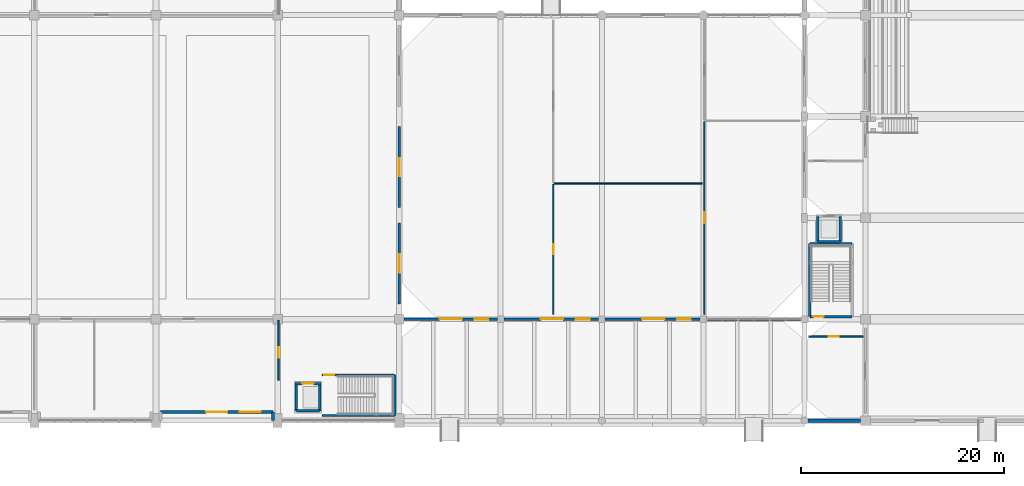
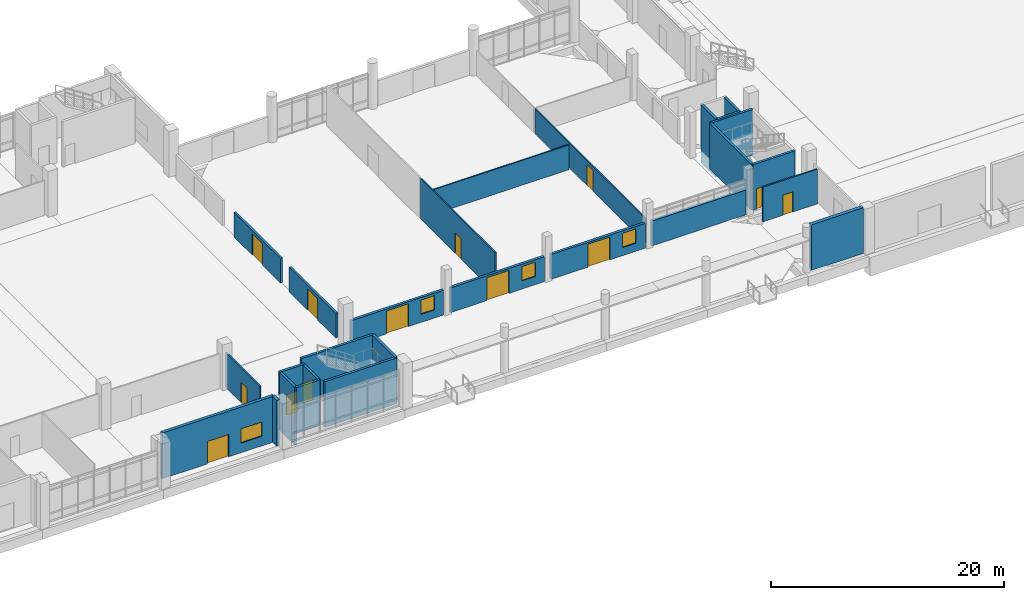
# One storey, part 71 of 87: 27 walls, 13 doors, 4 windows, 17 openings.
"""IFC4 building model written with IfcOpenShell, lengths in metres."""

from ifc_helpers import new_model, si_unit, direction, frame, frame_2d, origin, place, context, subcontext, project, spatial, rectangle, extrude, material, layer, layer_set, type_object, element, fill, save


model = new_model("IFC4")

# Units and contexts
model_context = context("Model", 3, precision=1e-05, world=origin(), true_north=direction((0.0, 1.0)))
body_context = subcontext(model_context, "Body", "Model", "MODEL_VIEW")
ifc_project = project(units=[si_unit("LENGTHUNIT", "METRE"), si_unit("AREAUNIT", "SQUARE_METRE"), si_unit("VOLUMEUNIT", "CUBIC_METRE"), si_unit("PLANEANGLEUNIT", "RADIAN"), si_unit("MASSUNIT", "GRAM", prefix="KILO")], contexts=[model_context])

# Site, building, storey
site_placement = place(None, origin())
site = spatial("IfcSite", under=ifc_project, at=site_placement, CompositionType="ELEMENT")
building_placement = place(site_placement, origin())
building = spatial("IfcBuilding", under=site, at=building_placement, Name="Mersad Railyard Sports Hall", CompositionType="ELEMENT")
storey_placement = place(building_placement, origin())
storey = spatial("IfcBuildingStorey", under=building, at=storey_placement, Name="L00", CompositionType="ELEMENT", Elevation=0.0)

# Wall
ifc_material_1 = material(Name="Architectural concrete C40/50", Category="concrete")
ifc_layer_1 = layer(ifc_material_1, 0.300048828125)
ifc_layer_set_1 = layer_set([ifc_layer_1], Name="Architectural concrete C40/50")
wall_type_1 = type_object("IfcWallType", Name="ARC-WL-EW01", PredefinedType="SOLIDWALL", material=ifc_layer_set_1)
wall_1_placement = place(storey_placement, frame((78.550048828125, 4.35009765625, 0.0), z_axis=(0.0, 0.0, 1.0), x_axis=(0.0, -1.0, 0.0)))
element("IfcWall", 1, at=wall_1_placement, inside=storey, type_object=wall_type_1, Name="External wall EW01-0044", PredefinedType="SOLIDWALL", context=body_context, shape_type="SweptSolid", body=[
    extrude(rectangle(XDim=0.85009765625, YDim=0.300048828125, at=frame_2d((0.425048828125, 0.0))), origin(), (0.0, 0.0, 1.0), 4.800048828125),
])

# Wall, openings, door, window
wall_2_placement = place(storey_placement, frame((78.550048828125, 4.35009765625, 0.0), z_axis=(0.0, 0.0, 1.0), x_axis=(-1.0, 0.0, 0.0)))
wall_2 = element("IfcWall", 2, at=wall_2_placement, inside=storey, type_object=wall_type_1, Name="External wall EW01-0051", PredefinedType="SOLIDWALL", context=body_context, shape_type="SweptSolid", body=[
    extrude(rectangle(XDim=11.10009765625, YDim=0.300048828125, at=frame_2d((5.550048828125, 0.0))), origin(), (0.0, 0.0, 1.0), 4.800048828125),
])
opening_1_placement = place(wall_2_placement, frame((4.5, 0.0, 0.0)))
opening_1 = element("IfcOpeningElement", 3, at=opening_1_placement, cuts=wall_2, Name="Opening ED02", PredefinedType="OPENING", context=body_context, shape_type="SweptSolid", body=[
    extrude(rectangle(XDim=2.10009765625, YDim=2.35009765625, at=frame_2d((1.050048828125, 1.175048828125))), frame((0.0, 0.159912109375, 0.0), z_axis=(0.0, -1.0, 0.0), x_axis=(1.0, 0.0, 0.0)), (0.0, 0.0, 1.0), 0.320068359375),
])
opening_2_placement = place(wall_2_placement, frame((1.199951171875, 0.0, 1.0)))
opening_2 = element("IfcOpeningElement", 4, at=opening_2_placement, cuts=wall_2, Name="Opening W06", PredefinedType="OPENING", context=body_context, shape_type="SweptSolid", body=[
    extrude(rectangle(XDim=2.10009765625, YDim=1.5, at=frame_2d((1.050048828125, 0.75))), frame((0.0, 0.159912109375, 0.0), z_axis=(0.0, -1.0, 0.0), x_axis=(1.0, 0.0, 0.0)), (0.0, 0.0, 1.0), 0.320068359375),
])
ifc_material_2 = material(Name="Aluminium 6063-T6", Category="aluminium")
door_type_1 = type_object("IfcDoorType", Name="ARC-DR-ED02", OperationType="NOTDEFINED", PredefinedType="DOOR", material=ifc_material_2)
door_1_placement = place(opening_1_placement, origin())
door_1 = element("IfcDoor", 5, at=door_1_placement, inside=storey, type_object=door_type_1, Name="Pedestrian exit door ED02-005", OperationType="DOUBLE_DOOR_SINGLE_SWING", OverallHeight=2.35009765625, OverallWidth=2.10009765625, PredefinedType="DOOR", context=body_context, shape_type="SweptSolid", body=[
    extrude(rectangle(XDim=2.10009765625, YDim=2.35009765625, at=frame_2d((1.050048828125, 1.175048828125))), frame((0.0, 0.02490234375, 0.0), z_axis=(0.0, -1.0, 0.0), x_axis=(1.0, 0.0, 0.0)), (0.0, 0.0, 1.0), 0.050048828125),
])
fill(opening_1, door_1)
ifc_material_3 = material(Name="Solar-control glass", Category="glass")
window_type_1 = type_object("IfcWindowType", Name="ARC-WN-W06", PartitioningType="DOUBLE_PANEL_VERTICAL", PredefinedType="WINDOW", material=ifc_material_3)
window_1_placement = place(opening_2_placement, origin())
window_1 = element("IfcWindow", 6, at=window_1_placement, inside=storey, type_object=window_type_1, Name="Window W06-0004", OverallHeight=1.5, OverallWidth=2.10009765625, PartitioningType="DOUBLE_PANEL_VERTICAL", PredefinedType="WINDOW", context=body_context, shape_type="SweptSolid", body=[
    extrude(rectangle(XDim=2.10009765625, YDim=1.5, at=frame_2d((1.050048828125, 0.75))), frame((0.0, 0.030029296875, 0.0), z_axis=(0.0, -1.0, 0.0), x_axis=(1.0, 0.0, 0.0)), (0.0, 0.0, 1.0), 0.06005859375),
])
fill(opening_2, window_1)

# Wall
ifc_material_4 = material(Name="Architectural concrete C50/60", Category="concrete")
ifc_layer_2 = layer(ifc_material_4, 0.35009765625)
ifc_layer_set_2 = layer_set([ifc_layer_2], Name="Architectural concrete C50/60")
wall_type_2 = type_object("IfcWallType", Name="ARC-WL-EW02", PredefinedType="SOLIDWALL", material=ifc_layer_set_2)
wall_3_placement = place(storey_placement, frame((136.52490234375, 3.5, 0.0), z_axis=(0.0, 0.0, 1.0), x_axis=(-1.0, 0.0, 0.0)))
element("IfcWall", 7, at=wall_3_placement, inside=storey, type_object=wall_type_2, Name="External wall EW02-0079", PredefinedType="SOLIDWALL", context=body_context, shape_type="SweptSolid", body=[
    extrude(rectangle(XDim=5.1748046875, YDim=0.35009765625, at=frame_2d((2.58740234375, 0.0))), origin(), (0.0, 0.0, 1.0), 4.800048828125),
])

# Wall, openings, door, window
ifc_material_5 = material(Name="Precast concrete C45/55", Category="concrete")
ifc_layer_3 = layer(ifc_material_5, 0.25)
ifc_layer_set_3 = layer_set([ifc_layer_3], Name="Precast concrete C45/55")
wall_type_3 = type_object("IfcWallType", Name="ARC-WL-EW04", PredefinedType="SOLIDWALL", material=ifc_layer_set_3)
wall_4_placement = place(storey_placement, frame((100.675048828125, 13.5, 0.0), z_axis=(0.0, 0.0, 1.0), x_axis=(-1.0, 0.0, 0.0)))
wall_4 = element("IfcWall", 8, at=wall_4_placement, inside=storey, type_object=wall_type_3, Name="External wall EW04-0073", PredefinedType="SOLIDWALL", context=body_context, shape_type="SweptSolid", body=[
    extrude(rectangle(XDim=9.199951171875, YDim=0.25, at=frame_2d((4.60009765625, 0.0))), origin(), (0.0, 0.0, 1.0), 2.60498046875),
])
opening_3_placement = place(wall_4_placement, frame((3.5, 0.0, 0.0)))
opening_3 = element("IfcOpeningElement", 9, at=opening_3_placement, cuts=wall_4, Name="Opening ED01", PredefinedType="OPENING", context=body_context, shape_type="SweptSolid", body=[
    extrude(rectangle(XDim=2.199951171875, YDim=2.39990234375, at=frame_2d((1.10009765625, 1.199951171875))), frame((0.0, 0.135009765625, 0.0), z_axis=(0.0, -1.0, 0.0), x_axis=(1.0, 0.0, 0.0)), (0.0, 0.0, 1.0), 0.27001953125),
])
opening_4_placement = place(wall_4_placement, frame((0.89990234375, 0.0, 0.85009765625)))
opening_4 = element("IfcOpeningElement", 10, at=opening_4_placement, cuts=wall_4, Name="Opening W02", PredefinedType="OPENING", context=body_context, shape_type="SweptSolid", body=[
    extrude(rectangle(XDim=1.35009765625, YDim=1.5, at=frame_2d((0.675048828125, 0.75))), frame((0.0, 0.135009765625, 0.0), z_axis=(0.0, -1.0, 0.0), x_axis=(1.0, 0.0, 0.0)), (0.0, 0.0, 1.0), 0.27001953125),
])
door_type_2 = type_object("IfcDoorType", Name="ARC-DR-ED01", OperationType="NOTDEFINED", PredefinedType="DOOR", material=ifc_material_2)
door_2_placement = place(opening_3_placement, origin())
door_2 = element("IfcDoor", 11, at=door_2_placement, inside=storey, type_object=door_type_2, Name="Main entrance door ED01-017", OperationType="DOUBLE_DOOR_SINGLE_SWING", OverallHeight=2.39990234375, OverallWidth=2.199951171875, PredefinedType="DOOR", context=body_context, shape_type="SweptSolid", body=[
    extrude(rectangle(XDim=2.199951171875, YDim=2.39990234375, at=frame_2d((1.10009765625, 1.199951171875))), frame((0.0, 0.02490234375, 0.0), z_axis=(0.0, -1.0, 0.0), x_axis=(1.0, 0.0, 0.0)), (0.0, 0.0, 1.0), 0.050048828125),
])
fill(opening_3, door_2)
window_type_2 = type_object("IfcWindowType", Name="ARC-WN-W02", PartitioningType="SINGLE_PANEL", PredefinedType="WINDOW", material=ifc_material_3)
window_2_placement = place(opening_4_placement, origin())
window_2 = element("IfcWindow", 12, at=window_2_placement, inside=storey, type_object=window_type_2, Name="Window W02-0013", OverallHeight=1.5, OverallWidth=1.35009765625, PartitioningType="SINGLE_PANEL", PredefinedType="WINDOW", context=body_context, shape_type="SweptSolid", body=[
    extrude(rectangle(XDim=1.35009765625, YDim=1.5, at=frame_2d((0.675048828125, 0.75))), frame((0.0, 0.030029296875, 0.0), z_axis=(0.0, -1.0, 0.0), x_axis=(1.0, 0.0, 0.0)), (0.0, 0.0, 1.0), 0.06005859375),
])
fill(opening_4, window_2)

wall_5_placement = place(storey_placement, frame((110.675048828125, 13.5, 0.0), z_axis=(0.0, 0.0, 1.0), x_axis=(-1.0, 0.0, 0.0)))
wall_5 = element("IfcWall", 13, at=wall_5_placement, inside=storey, type_object=wall_type_3, Name="External wall EW04-0075", PredefinedType="SOLIDWALL", context=body_context, shape_type="SweptSolid", body=[
    extrude(rectangle(XDim=9.35009765625, YDim=0.25, at=frame_2d((4.675048828125, 0.0))), origin(), (0.0, 0.0, 1.0), 2.60498046875),
])
opening_5_placement = place(wall_5_placement, frame((3.5, 0.0, 0.0)))
opening_5 = element("IfcOpeningElement", 14, at=opening_5_placement, cuts=wall_5, Name="Opening ED01", PredefinedType="OPENING", context=body_context, shape_type="SweptSolid", body=[
    extrude(rectangle(XDim=2.199951171875, YDim=2.39990234375, at=frame_2d((1.10009765625, 1.199951171875))), frame((0.0, 0.135009765625, 0.0), z_axis=(0.0, -1.0, 0.0), x_axis=(1.0, 0.0, 0.0)), (0.0, 0.0, 1.0), 0.27001953125),
])
opening_6_placement = place(wall_5_placement, frame((0.89990234375, 0.0, 0.85009765625)))
opening_6 = element("IfcOpeningElement", 15, at=opening_6_placement, cuts=wall_5, Name="Opening W02", PredefinedType="OPENING", context=body_context, shape_type="SweptSolid", body=[
    extrude(rectangle(XDim=1.35009765625, YDim=1.5, at=frame_2d((0.675048828125, 0.75))), frame((0.0, 0.135009765625, 0.0), z_axis=(0.0, -1.0, 0.0), x_axis=(1.0, 0.0, 0.0)), (0.0, 0.0, 1.0), 0.27001953125),
])
door_3_placement = place(opening_5_placement, origin())
door_3 = element("IfcDoor", 16, at=door_3_placement, inside=storey, type_object=door_type_2, Name="Main entrance door ED01-019", OperationType="DOUBLE_DOOR_SINGLE_SWING", OverallHeight=2.39990234375, OverallWidth=2.199951171875, PredefinedType="DOOR", context=body_context, shape_type="SweptSolid", body=[
    extrude(rectangle(XDim=2.199951171875, YDim=2.39990234375, at=frame_2d((1.10009765625, 1.199951171875))), frame((0.0, 0.02490234375, 0.0), z_axis=(0.0, -1.0, 0.0), x_axis=(1.0, 0.0, 0.0)), (0.0, 0.0, 1.0), 0.050048828125),
])
fill(opening_5, door_3)
window_3_placement = place(opening_6_placement, origin())
window_3 = element("IfcWindow", 17, at=window_3_placement, inside=storey, type_object=window_type_2, Name="Window W02-0014", OverallHeight=1.5, OverallWidth=1.35009765625, PartitioningType="SINGLE_PANEL", PredefinedType="WINDOW", context=body_context, shape_type="SweptSolid", body=[
    extrude(rectangle(XDim=1.35009765625, YDim=1.5, at=frame_2d((0.675048828125, 0.75))), frame((0.0, 0.030029296875, 0.0), z_axis=(0.0, -1.0, 0.0), x_axis=(1.0, 0.0, 0.0)), (0.0, 0.0, 1.0), 0.06005859375),
])
fill(opening_6, window_3)

wall_6_placement = place(storey_placement, frame((120.675048828125, 13.5, 0.0), z_axis=(0.0, 0.0, 1.0), x_axis=(-1.0, 0.0, 0.0)))
wall_6 = element("IfcWall", 18, at=wall_6_placement, inside=storey, type_object=wall_type_3, Name="External wall EW04-0076", PredefinedType="SOLIDWALL", context=body_context, shape_type="SweptSolid", body=[
    extrude(rectangle(XDim=9.35009765625, YDim=0.25, at=frame_2d((4.675048828125, 0.0))), origin(), (0.0, 0.0, 1.0), 2.60498046875),
])
opening_7_placement = place(wall_6_placement, frame((3.5, 0.0, 0.0)))
opening_7 = element("IfcOpeningElement", 19, at=opening_7_placement, cuts=wall_6, Name="Opening ED01", PredefinedType="OPENING", context=body_context, shape_type="SweptSolid", body=[
    extrude(rectangle(XDim=2.199951171875, YDim=2.39990234375, at=frame_2d((1.10009765625, 1.199951171875))), frame((0.0, 0.135009765625, 0.0), z_axis=(0.0, -1.0, 0.0), x_axis=(1.0, 0.0, 0.0)), (0.0, 0.0, 1.0), 0.27001953125),
])
opening_8_placement = place(wall_6_placement, frame((0.89990234375, 0.0, 0.85009765625)))
opening_8 = element("IfcOpeningElement", 20, at=opening_8_placement, cuts=wall_6, Name="Opening W02", PredefinedType="OPENING", context=body_context, shape_type="SweptSolid", body=[
    extrude(rectangle(XDim=1.35009765625, YDim=1.5, at=frame_2d((0.675048828125, 0.75))), frame((0.0, 0.135009765625, 0.0), z_axis=(0.0, -1.0, 0.0), x_axis=(1.0, 0.0, 0.0)), (0.0, 0.0, 1.0), 0.27001953125),
])
door_4_placement = place(opening_7_placement, origin())
door_4 = element("IfcDoor", 21, at=door_4_placement, inside=storey, type_object=door_type_2, Name="Main entrance door ED01-020", OperationType="DOUBLE_DOOR_SINGLE_SWING", OverallHeight=2.39990234375, OverallWidth=2.199951171875, PredefinedType="DOOR", context=body_context, shape_type="SweptSolid", body=[
    extrude(rectangle(XDim=2.199951171875, YDim=2.39990234375, at=frame_2d((1.10009765625, 1.199951171875))), frame((0.0, 0.02490234375, 0.0), z_axis=(0.0, -1.0, 0.0), x_axis=(1.0, 0.0, 0.0)), (0.0, 0.0, 1.0), 0.050048828125),
])
fill(opening_7, door_4)
window_4_placement = place(opening_8_placement, origin())
window_4 = element("IfcWindow", 22, at=window_4_placement, inside=storey, type_object=window_type_2, Name="Window W02-0015", OverallHeight=1.5, OverallWidth=1.35009765625, PartitioningType="SINGLE_PANEL", PredefinedType="WINDOW", context=body_context, shape_type="SweptSolid", body=[
    extrude(rectangle(XDim=1.35009765625, YDim=1.5, at=frame_2d((0.675048828125, 0.75))), frame((0.0, 0.030029296875, 0.0), z_axis=(0.0, -1.0, 0.0), x_axis=(1.0, 0.0, 0.0)), (0.0, 0.0, 1.0), 0.06005859375),
])
fill(opening_8, window_4)

# Wall
wall_7_placement = place(storey_placement, frame((130.675048828125, 13.5, 0.0), z_axis=(0.0, 0.0, 1.0), x_axis=(-1.0, 0.0, 0.0)))
element("IfcWall", 23, at=wall_7_placement, inside=storey, type_object=wall_type_3, Name="External wall EW04-0078", PredefinedType="SOLIDWALL", context=body_context, shape_type="SweptSolid", body=[
    extrude(rectangle(XDim=9.35009765625, YDim=0.25, at=frame_2d((4.675048828125, 0.0))), origin(), (0.0, 0.0, 1.0), 2.60498046875),
])

# Wall, opening, door
ifc_layer_4 = layer(ifc_material_5, 0.199951171875)
ifc_layer_set_4 = layer_set([ifc_layer_4], Name="Precast concrete C45/55")
wall_type_4 = type_object("IfcWallType", Name="ARC-WL-PT01", PredefinedType="PARTITIONING", material=ifc_layer_set_4)
wall_8_placement = place(storey_placement, frame((91.0, 15.0, 0.0), z_axis=(0.0, 0.0, 1.0), x_axis=(0.0, 1.0, 0.0)))
wall_8 = element("IfcWall", 24, at=wall_8_placement, inside=storey, type_object=wall_type_4, Name="Interior wall PT01-0540", PredefinedType="PARTITIONING", context=body_context, shape_type="SweptSolid", body=[
    extrude(rectangle(XDim=8.0, YDim=0.199951171875, at=frame_2d((4.0, 0.0))), origin(), (0.0, 0.0, 1.0), 2.60498046875),
])
opening_9_placement = place(wall_8_placement, frame((3.10009765625, 0.0, 0.0)))
opening_9 = element("IfcOpeningElement", 25, at=opening_9_placement, cuts=wall_8, Name="Opening FD05", PredefinedType="OPENING", context=body_context, shape_type="SweptSolid", body=[
    extrude(rectangle(XDim=1.800048828125, YDim=2.25, at=frame_2d((0.89990234375, 1.125))), frame((0.0, 0.10986328125, 0.0), z_axis=(0.0, -1.0, 0.0), x_axis=(1.0, 0.0, 0.0)), (0.0, 0.0, 1.0), 0.219970703125),
])
ifc_material_6 = material(Name="Steel S355", Category="steel")
door_type_3 = type_object("IfcDoorType", Name="ARC-DR-FD05", OperationType="NOTDEFINED", PredefinedType="DOOR", material=ifc_material_6)
door_5_placement = place(opening_9_placement, origin())
door_5 = element("IfcDoor", 26, at=door_5_placement, inside=storey, type_object=door_type_3, Name="Foyer to courts double door FD05-0245", OperationType="DOUBLE_DOOR_SINGLE_SWING", OverallHeight=2.25, OverallWidth=1.800048828125, PredefinedType="DOOR", context=body_context, shape_type="SweptSolid", body=[
    extrude(rectangle(XDim=1.800048828125, YDim=2.25, at=frame_2d((0.89990234375, 1.125))), frame((0.0, 0.02490234375, 0.0), z_axis=(0.0, -1.0, 0.0), x_axis=(1.0, 0.0, 0.0)), (0.0, 0.0, 1.0), 0.050048828125),
])
fill(opening_9, door_5)

wall_9_placement = place(storey_placement, frame((91.0, 24.5, 0.0), z_axis=(0.0, 0.0, 1.0), x_axis=(0.0, 1.0, 0.0)))
wall_9 = element("IfcWall", 27, at=wall_9_placement, inside=storey, type_object=wall_type_4, Name="Interior wall PT01-0541", PredefinedType="PARTITIONING", context=body_context, shape_type="SweptSolid", body=[
    extrude(rectangle(XDim=8.0, YDim=0.199951171875, at=frame_2d((4.0, 0.0))), origin(), (0.0, 0.0, 1.0), 2.60498046875),
])
opening_10_placement = place(wall_9_placement, frame((3.10009765625, 0.0, 0.0)))
opening_10 = element("IfcOpeningElement", 28, at=opening_10_placement, cuts=wall_9, Name="Opening FD05", PredefinedType="OPENING", context=body_context, shape_type="SweptSolid", body=[
    extrude(rectangle(XDim=1.800048828125, YDim=2.25, at=frame_2d((0.89990234375, 1.125))), frame((0.0, 0.10986328125, 0.0), z_axis=(0.0, -1.0, 0.0), x_axis=(1.0, 0.0, 0.0)), (0.0, 0.0, 1.0), 0.219970703125),
])
door_6_placement = place(opening_10_placement, origin())
door_6 = element("IfcDoor", 29, at=door_6_placement, inside=storey, type_object=door_type_3, Name="Foyer to courts double door FD05-0246", OperationType="DOUBLE_DOOR_SINGLE_SWING", OverallHeight=2.25, OverallWidth=1.800048828125, PredefinedType="DOOR", context=body_context, shape_type="SweptSolid", body=[
    extrude(rectangle(XDim=1.800048828125, YDim=2.25, at=frame_2d((0.89990234375, 1.125))), frame((0.0, 0.02490234375, 0.0), z_axis=(0.0, -1.0, 0.0), x_axis=(1.0, 0.0, 0.0)), (0.0, 0.0, 1.0), 0.050048828125),
])
fill(opening_10, door_6)

ifc_material_7 = material(Name="Gypsum plasterboard", Category="gypsum")
ifc_layer_5 = layer(ifc_material_7, 0.139892578125)
ifc_layer_set_5 = layer_set([ifc_layer_5], Name="Gypsum plasterboard")
wall_type_5 = type_object("IfcWallType", Name="ARC-WL-PT03", PredefinedType="PARTITIONING", material=ifc_layer_set_5)
wall_10_placement = place(storey_placement, frame((79.10009765625, 7.5, 0.0), z_axis=(0.0, 0.0, 1.0), x_axis=(0.0, 1.0, 0.0)))
wall_10 = element("IfcWall", 30, at=wall_10_placement, inside=storey, type_object=wall_type_5, Name="Interior wall PT03-0315", PredefinedType="PARTITIONING", context=body_context, shape_type="SweptSolid", body=[
    extrude(rectangle(XDim=5.89990234375, YDim=0.139892578125, at=frame_2d((2.949951171875, 0.0))), origin(), (0.0, 0.0, 1.0), 3.64501953125),
])
opening_11_placement = place(wall_10_placement, frame((2.199951171875, 0.0, 0.0)))
opening_11 = element("IfcOpeningElement", 31, at=opening_11_placement, cuts=wall_10, Name="Opening FD07", PredefinedType="OPENING", context=body_context, shape_type="SweptSolid", body=[
    extrude(rectangle(XDim=1.050048828125, YDim=2.10009765625, at=frame_2d((0.52490234375, 1.050048828125))), frame((0.0, 0.079833984375, 0.0), z_axis=(0.0, -1.0, 0.0), x_axis=(1.0, 0.0, 0.0)), (0.0, 0.0, 1.0), 0.159912109375),
])
door_type_4 = type_object("IfcDoorType", Name="ARC-DR-FD07", OperationType="NOTDEFINED", PredefinedType="DOOR", material=ifc_material_6)
door_7_placement = place(opening_11_placement, origin())
door_7 = element("IfcDoor", 32, at=door_7_placement, inside=storey, type_object=door_type_4, Name="SE lift lobby door FD07-0143", OperationType="SINGLE_SWING_RIGHT", OverallHeight=2.10009765625, OverallWidth=1.050048828125, PredefinedType="DOOR", context=body_context, shape_type="SweptSolid", body=[
    extrude(rectangle(XDim=1.050048828125, YDim=2.10009765625, at=frame_2d((0.52490234375, 1.050048828125))), frame((0.0, 0.02490234375, 0.0), z_axis=(0.0, -1.0, 0.0), x_axis=(1.0, 0.0, 0.0)), (0.0, 0.0, 1.0), 0.050048828125),
])
fill(opening_11, door_7)

wall_11_placement = place(storey_placement, frame((131.39990234375, 11.800048828125, 0.0), z_axis=(0.0, 0.0, 1.0), x_axis=(1.0, 0.0, 0.0)))
wall_11 = element("IfcWall", 33, at=wall_11_placement, inside=storey, type_object=wall_type_5, Name="Interior wall PT03-0372", PredefinedType="PARTITIONING", context=body_context, shape_type="SweptSolid", body=[
    extrude(rectangle(XDim=5.400146484375, YDim=0.139892578125, at=frame_2d((2.7001953125, 0.0))), origin(), (0.0, 0.0, 1.0), 3.64501953125),
])
opening_12_placement = place(wall_11_placement, frame((2.0, 0.0, 0.0)))
opening_12 = element("IfcOpeningElement", 34, at=opening_12_placement, cuts=wall_11, Name="Opening FD06", PredefinedType="OPENING", context=body_context, shape_type="SweptSolid", body=[
    extrude(rectangle(XDim=0.97998046875, YDim=2.10009765625, at=frame_2d((0.489990234375, 1.050048828125))), frame((0.0, 0.079833984375, 0.0), z_axis=(0.0, -1.0, 0.0), x_axis=(1.0, 0.0, 0.0)), (0.0, 0.0, 1.0), 0.159912109375),
])
door_type_5 = type_object("IfcDoorType", Name="ARC-DR-FD06", OperationType="NOTDEFINED", PredefinedType="DOOR", material=ifc_material_6)
door_8_placement = place(opening_12_placement, origin())
door_8 = element("IfcDoor", 35, at=door_8_placement, inside=storey, type_object=door_type_5, Name="Broadcast media room door FD06-0163", OperationType="SINGLE_SWING_RIGHT", OverallHeight=2.10009765625, OverallWidth=0.97998046875, PredefinedType="DOOR", context=body_context, shape_type="SweptSolid", body=[
    extrude(rectangle(XDim=0.97998046875, YDim=2.10009765625, at=frame_2d((0.489990234375, 1.050048828125))), frame((0.0, 0.02490234375, 0.0), z_axis=(0.0, -1.0, 0.0), x_axis=(1.0, 0.0, 0.0)), (0.0, 0.0, 1.0), 0.050048828125),
])
fill(opening_12, door_8)

ifc_layer_6 = layer(ifc_material_7, 0.1201171875)
ifc_layer_set_6 = layer_set([ifc_layer_6], Name="Gypsum plasterboard")
wall_type_6 = type_object("IfcWallType", Name="ARC-WL-PT04", PredefinedType="PARTITIONING", material=ifc_layer_set_6)
wall_12_placement = place(storey_placement, frame((106.199951171875, 14.0, 0.0), z_axis=(0.0, 0.0, 1.0), x_axis=(0.0, 1.0, 0.0)))
wall_12 = element("IfcWall", 36, at=wall_12_placement, inside=storey, type_object=wall_type_6, Name="Interior wall PT04-0545", PredefinedType="PARTITIONING", context=body_context, shape_type="SweptSolid", body=[
    extrude(rectangle(XDim=12.800048828125, YDim=0.1201171875, at=frame_2d((6.39990234375, 0.0))), origin(), (0.0, 0.0, 1.0), 4.2451171875),
])
opening_13_placement = place(wall_12_placement, frame((5.889892578125, 0.0, 0.0)))
opening_13 = element("IfcOpeningElement", 37, at=opening_13_placement, cuts=wall_12, Name="Opening ID03", PredefinedType="OPENING", context=body_context, shape_type="SweptSolid", body=[
    extrude(rectangle(XDim=1.02001953125, YDim=2.14990234375, at=frame_2d((0.510009765625, 1.074951171875))), frame((0.0, 0.070068359375, 0.0), z_axis=(0.0, -1.0, 0.0), x_axis=(1.0, 0.0, 0.0)), (0.0, 0.0, 1.0), 0.14013671875),
])
door_type_6 = type_object("IfcDoorType", Name="ARC-DR-ID03", OperationType="NOTDEFINED", PredefinedType="DOOR", material=ifc_material_2)
door_9_placement = place(opening_13_placement, origin())
door_9 = element("IfcDoor", 38, at=door_9_placement, inside=storey, type_object=door_type_6, Name="Cafe entrance door ID03-0250", OperationType="SINGLE_SWING_LEFT", OverallHeight=2.14990234375, OverallWidth=1.02001953125, PredefinedType="DOOR", context=body_context, shape_type="SweptSolid", body=[
    extrude(rectangle(XDim=1.02001953125, YDim=2.14990234375, at=frame_2d((0.510009765625, 1.074951171875))), frame((0.0, 0.02490234375, 0.0), z_axis=(0.0, -1.0, 0.0), x_axis=(1.0, 0.0, 0.0)), (0.0, 0.0, 1.0), 0.050048828125),
])
fill(opening_13, door_9)

# Wall
wall_13_placement = place(storey_placement, frame((106.300048828125, 26.89990234375, 0.0), z_axis=(0.0, 0.0, 1.0), x_axis=(1.0, 0.0, 0.0)))
element("IfcWall", 39, at=wall_13_placement, inside=storey, type_object=wall_type_6, Name="Interior wall PT04-0547", PredefinedType="PARTITIONING", context=body_context, shape_type="SweptSolid", body=[
    extrude(rectangle(XDim=14.599853515625, YDim=0.1201171875, at=frame_2d((7.2998046875, 0.0))), origin(), (0.0, 0.0, 1.0), 2.60498046875),
])

# Wall, opening, door
wall_14_placement = place(storey_placement, frame((121.10009765625, 14.0, 0.0), z_axis=(0.0, 0.0, 1.0), x_axis=(0.0, 1.0, 0.0)))
wall_14 = element("IfcWall", 40, at=wall_14_placement, inside=storey, type_object=wall_type_6, Name="Interior wall PT04-0548", PredefinedType="PARTITIONING", context=body_context, shape_type="SweptSolid", body=[
    extrude(rectangle(XDim=19.0, YDim=0.1201171875, at=frame_2d((9.5, 0.0))), origin(), (0.0, 0.0, 1.0), 2.60498046875),
])
opening_14_placement = place(wall_14_placement, frame((8.9599609375, 0.0, 0.0)))
opening_14 = element("IfcOpeningElement", 41, at=opening_14_placement, cuts=wall_14, Name="Opening ID04", PredefinedType="OPENING", context=body_context, shape_type="SweptSolid", body=[
    extrude(rectangle(XDim=1.080078125, YDim=2.14990234375, at=frame_2d((0.5400390625, 1.074951171875))), frame((0.0, 0.070068359375, 0.0), z_axis=(0.0, -1.0, 0.0), x_axis=(1.0, 0.0, 0.0)), (0.0, 0.0, 1.0), 0.14013671875),
])
door_type_7 = type_object("IfcDoorType", Name="ARC-DR-ID04", OperationType="NOTDEFINED", PredefinedType="DOOR", material=ifc_material_2)
door_10_placement = place(opening_14_placement, origin())
door_10 = element("IfcDoor", 42, at=door_10_placement, inside=storey, type_object=door_type_7, Name="Pro shop door ID04-0252", OperationType="SINGLE_SWING_RIGHT", OverallHeight=2.14990234375, OverallWidth=1.080078125, PredefinedType="DOOR", context=body_context, shape_type="SweptSolid", body=[
    extrude(rectangle(XDim=1.080078125, YDim=2.14990234375, at=frame_2d((0.5400390625, 1.074951171875))), frame((0.0, 0.02490234375, 0.0), z_axis=(0.0, -1.0, 0.0), x_axis=(1.0, 0.0, 0.0)), (0.0, 0.0, 1.0), 0.050048828125),
])
fill(opening_14, door_10)

# Walls
ifc_material_8 = material(Name="Concrete C40/50", Category="concrete")
ifc_layer_7 = layer(ifc_material_8, 0.239990234375)
ifc_layer_set_7 = layer_set([ifc_layer_7], Name="Concrete C40/50")
wall_type_7 = type_object("IfcWallType", Name="STR-WL-SW03", PredefinedType="SHEAR", material=ifc_layer_set_7)
wall_15_placement = place(storey_placement, frame((132.27490234375, 21.14990234375, -1.300048828125), z_axis=(0.0, 0.0, 1.0), x_axis=(0.0, 1.0, 0.0)))
element("IfcWall", 43, at=wall_15_placement, inside=storey, type_object=wall_type_7, Name="Lift PL-05 west shaft wall L00", PredefinedType="SHEAR", context=body_context, shape_type="SweptSolid", body=[
    extrude(rectangle(XDim=2.5, YDim=0.239990234375, at=frame_2d((1.25, 0.0))), origin(), (0.0, 0.0, 1.0), 6.10009765625),
])
wall_16_placement = place(storey_placement, frame((134.52490234375, 23.64990234375, 0.0), z_axis=(0.0, 0.0, 1.0), x_axis=(0.0, -1.0, 0.0)))
element("IfcWall", 44, at=wall_16_placement, inside=storey, type_object=wall_type_7, Name="Interior wall SW03-0093", PredefinedType="SHEAR", context=body_context, shape_type="SweptSolid", body=[
    extrude(rectangle(XDim=2.5, YDim=0.239990234375, at=frame_2d((1.25, 0.0))), origin(), (0.0, 0.0, 1.0), 4.800048828125),
])
wall_17_placement = place(storey_placement, frame((134.52490234375, 21.14990234375, 0.0), z_axis=(0.0, 0.0, 1.0), x_axis=(-1.0, 0.0, 0.0)))
element("IfcWall", 45, at=wall_17_placement, inside=storey, type_object=wall_type_7, Name="Interior wall SW03-0094", PredefinedType="SHEAR", context=body_context, shape_type="SweptSolid", body=[
    extrude(rectangle(XDim=2.25, YDim=0.239990234375, at=frame_2d((1.125, 0.0))), origin(), (0.0, 0.0, 1.0), 4.800048828125),
])
wall_18_placement = place(storey_placement, frame((80.85009765625, 4.449951171875, -1.300048828125), z_axis=(0.0, 0.0, 1.0), x_axis=(0.0, 1.0, 0.0)))
element("IfcWall", 46, at=wall_18_placement, inside=storey, type_object=wall_type_7, Name="Lift PL-08 west shaft wall L00", PredefinedType="SHEAR", context=body_context, shape_type="SweptSolid", body=[
    extrude(rectangle(XDim=2.699951171875, YDim=0.239990234375, at=frame_2d((1.35009765625, 0.0))), origin(), (0.0, 0.0, 1.0), 6.10009765625),
])
wall_19_placement = place(storey_placement, frame((83.14990234375, 7.14990234375, 0.0), z_axis=(0.0, 0.0, 1.0), x_axis=(0.0, -1.0, 0.0)))
element("IfcWall", 47, at=wall_19_placement, inside=storey, type_object=wall_type_7, Name="Interior wall SW03-0118", PredefinedType="SHEAR", context=body_context, shape_type="SweptSolid", body=[
    extrude(rectangle(XDim=2.699951171875, YDim=0.239990234375, at=frame_2d((1.35009765625, 0.0))), origin(), (0.0, 0.0, 1.0), 4.800048828125),
])
wall_20_placement = place(storey_placement, frame((83.14990234375, 4.449951171875, 0.0), z_axis=(0.0, 0.0, 1.0), x_axis=(-1.0, 0.0, 0.0)))
element("IfcWall", 48, at=wall_20_placement, inside=storey, type_object=wall_type_7, Name="Interior wall SW03-0119", PredefinedType="SHEAR", context=body_context, shape_type="SweptSolid", body=[
    extrude(rectangle(XDim=2.2998046875, YDim=0.239990234375, at=frame_2d((1.14990234375, 0.0))), origin(), (0.0, 0.0, 1.0), 4.800048828125),
])

# Wall, opening, door
wall_21_placement = place(storey_placement, frame((80.72998046875, 7.14990234375, 0.0), z_axis=(0.0, 0.0, 1.0), x_axis=(1.0, 0.0, 0.0)))
wall_21 = element("IfcWall", 49, at=wall_21_placement, inside=storey, type_object=wall_type_7, Name="Interior wall SW03-0120", PredefinedType="SHEAR", context=body_context, shape_type="SweptSolid", body=[
    extrude(rectangle(XDim=2.5400390625, YDim=0.239990234375, at=frame_2d((1.27001953125, 0.0))), origin(), (0.0, 0.0, 1.0), 4.800048828125),
])
opening_15_placement = place(wall_21_placement, frame((0.719970703125, 0.0, 0.0)))
opening_15 = element("IfcOpeningElement", 50, at=opening_15_placement, cuts=wall_21, Name="Opening LD01", PredefinedType="OPENING", context=body_context, shape_type="SweptSolid", body=[
    extrude(rectangle(XDim=1.10009765625, YDim=2.14990234375, at=frame_2d((0.550048828125, 1.074951171875))), frame((0.0, 0.1298828125, 0.0), z_axis=(0.0, -1.0, 0.0), x_axis=(1.0, 0.0, 0.0)), (0.0, 0.0, 1.0), 0.260009765625),
])
door_type_8 = type_object("IfcDoorType", Name="ARC-DR-LD01", OperationType="NOTDEFINED", PredefinedType="USERDEFINED", material=ifc_material_6)
door_11_placement = place(opening_15_placement, origin())
door_11 = element("IfcDoor", 51, at=door_11_placement, inside=storey, type_object=door_type_8, Name="Lift PL-08 landing door LD01-0032", ObjectType="LANDING DOOR", OperationType="DOUBLE_DOOR_SLIDING", OverallHeight=2.14990234375, OverallWidth=1.10009765625, PredefinedType="USERDEFINED", context=body_context, shape_type="SweptSolid", body=[
    extrude(rectangle(XDim=1.10009765625, YDim=2.14990234375, at=frame_2d((0.550048828125, 1.074951171875))), frame((0.0, 0.02490234375, 0.0), z_axis=(0.0, -1.0, 0.0), x_axis=(1.0, 0.0, 0.0)), (0.0, 0.0, 1.0), 0.050048828125),
])
fill(opening_15, door_11)

# Walls
wall_22_placement = place(storey_placement, frame((90.550048828125, 4.0, 0.0), z_axis=(0.0, 0.0, 1.0), x_axis=(0.0, 1.0, 0.0)))
element("IfcWall", 52, at=wall_22_placement, inside=storey, type_object=wall_type_7, Name="Interior wall SW03-0312", PredefinedType="SHEAR", context=body_context, shape_type="SweptSolid", body=[
    extrude(rectangle(XDim=4.0, YDim=0.239990234375, at=frame_2d((2.0, 0.0))), origin(), (0.0, 0.0, 1.0), 4.800048828125),
])
wall_23_placement = place(storey_placement, frame((83.39990234375, 4.0, 0.0), z_axis=(0.0, 0.0, 1.0), x_axis=(1.0, 0.0, 0.0)))
element("IfcWall", 53, at=wall_23_placement, inside=storey, type_object=wall_type_7, Name="Interior wall SW03-0313", PredefinedType="SHEAR", context=body_context, shape_type="SweptSolid", body=[
    extrude(rectangle(XDim=7.150146484375, YDim=0.239990234375, at=frame_2d((3.5751953125, 0.0))), origin(), (0.0, 0.0, 1.0), 4.800048828125),
])

# Wall, opening, door
wall_24_placement = place(storey_placement, frame((83.39990234375, 8.0, 0.0), z_axis=(0.0, 0.0, 1.0), x_axis=(1.0, 0.0, 0.0)))
wall_24 = element("IfcWall", 54, at=wall_24_placement, inside=storey, type_object=wall_type_7, Name="Interior wall SW03-0314", PredefinedType="SHEAR", context=body_context, shape_type="SweptSolid", body=[
    extrude(rectangle(XDim=7.150146484375, YDim=0.239990234375, at=frame_2d((3.5751953125, 0.0))), origin(), (0.0, 0.0, 1.0), 4.800048828125),
])
opening_16_placement = place(wall_24_placement, frame((0.179931640625, 0.0, 0.0)))
opening_16 = element("IfcOpeningElement", 55, at=opening_16_placement, cuts=wall_24, Name="Opening FD02", PredefinedType="OPENING", context=body_context, shape_type="SweptSolid", body=[
    extrude(rectangle(XDim=1.0, YDim=2.14990234375, at=frame_2d((0.5, 1.074951171875))), frame((0.0, 0.1298828125, 0.0), z_axis=(0.0, -1.0, 0.0), x_axis=(1.0, 0.0, 0.0)), (0.0, 0.0, 1.0), 0.260009765625),
])
door_type_9 = type_object("IfcDoorType", Name="ARC-DR-FD02", OperationType="NOTDEFINED", PredefinedType="DOOR", material=ifc_material_6)
door_12_placement = place(opening_16_placement, origin())
door_12 = element("IfcDoor", 56, at=door_12_placement, inside=storey, type_object=door_type_9, Name="SE pavilion stair door FD02-0142", OperationType="SINGLE_SWING_LEFT", OverallHeight=2.14990234375, OverallWidth=1.0, PredefinedType="DOOR", context=body_context, shape_type="SweptSolid", body=[
    extrude(rectangle(XDim=1.0, YDim=2.14990234375, at=frame_2d((0.5, 1.074951171875))), frame((0.0, 0.02490234375, 0.0), z_axis=(0.0, -1.0, 0.0), x_axis=(1.0, 0.0, 0.0)), (0.0, 0.0, 1.0), 0.050048828125),
])
fill(opening_16, door_12)

# Walls
wall_25_placement = place(storey_placement, frame((131.52001953125, 13.75, 0.0), z_axis=(0.0, 0.0, 1.0), x_axis=(0.0, 1.0, 0.0)))
element("IfcWall", 57, at=wall_25_placement, inside=storey, type_object=wall_type_7, Name="Interior wall SW03-0348", PredefinedType="SHEAR", context=body_context, shape_type="SweptSolid", body=[
    extrude(rectangle(XDim=7.199951171875, YDim=0.239990234375, at=frame_2d((3.60009765625, 0.0))), origin(), (0.0, 0.0, 1.0), 4.800048828125),
])
wall_26_placement = place(storey_placement, frame((131.52001953125, 20.949951171875, 0.0), z_axis=(0.0, 0.0, 1.0), x_axis=(1.0, 0.0, 0.0)))
element("IfcWall", 58, at=wall_26_placement, inside=storey, type_object=wall_type_7, Name="Interior wall SW03-0350", PredefinedType="SHEAR", context=body_context, shape_type="SweptSolid", body=[
    extrude(rectangle(XDim=4.159912109375, YDim=0.239990234375, at=frame_2d((2.080078125, 0.0))), origin(), (0.0, 0.0, 1.0), 4.800048828125),
])

# Wall, opening, door
wall_27_placement = place(storey_placement, frame((131.52001953125, 13.75, 0.0), z_axis=(0.0, 0.0, 1.0), x_axis=(1.0, 0.0, 0.0)))
wall_27 = element("IfcWall", 59, at=wall_27_placement, inside=storey, type_object=wall_type_7, Name="Interior wall SW03-0351", PredefinedType="SHEAR", context=body_context, shape_type="SweptSolid", body=[
    extrude(rectangle(XDim=4.159912109375, YDim=0.239990234375, at=frame_2d((2.080078125, 0.0))), origin(), (0.0, 0.0, 1.0), 4.800048828125),
])
opening_17_placement = place(wall_27_placement, frame((0.35009765625, 0.0, 0.0)))
opening_17 = element("IfcOpeningElement", 60, at=opening_17_placement, cuts=wall_27, Name="Opening FD02", PredefinedType="OPENING", context=body_context, shape_type="SweptSolid", body=[
    extrude(rectangle(XDim=1.0, YDim=2.14990234375, at=frame_2d((0.5, 1.074951171875))), frame((0.0, 0.1298828125, 0.0), z_axis=(0.0, -1.0, 0.0), x_axis=(1.0, 0.0, 0.0)), (0.0, 0.0, 1.0), 0.260009765625),
])
door_13_placement = place(opening_17_placement, origin())
door_13 = element("IfcDoor", 61, at=door_13_placement, inside=storey, type_object=door_type_9, Name="C5 stair door FD02-0157", OperationType="SINGLE_SWING_RIGHT", OverallHeight=2.14990234375, OverallWidth=1.0, PredefinedType="DOOR", context=body_context, shape_type="SweptSolid", body=[
    extrude(rectangle(XDim=1.0, YDim=2.14990234375, at=frame_2d((0.5, 1.074951171875))), frame((0.0, 0.02490234375, 0.0), z_axis=(0.0, -1.0, 0.0), x_axis=(1.0, 0.0, 0.0)), (0.0, 0.0, 1.0), 0.050048828125),
])
fill(opening_17, door_13)

save(model, "model.ifc")
